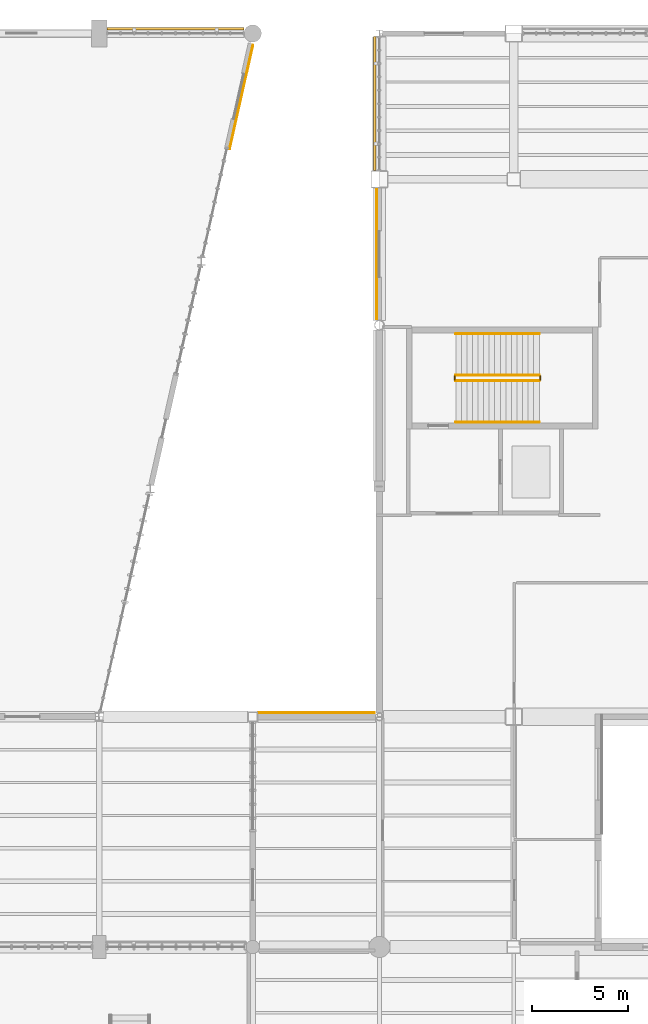
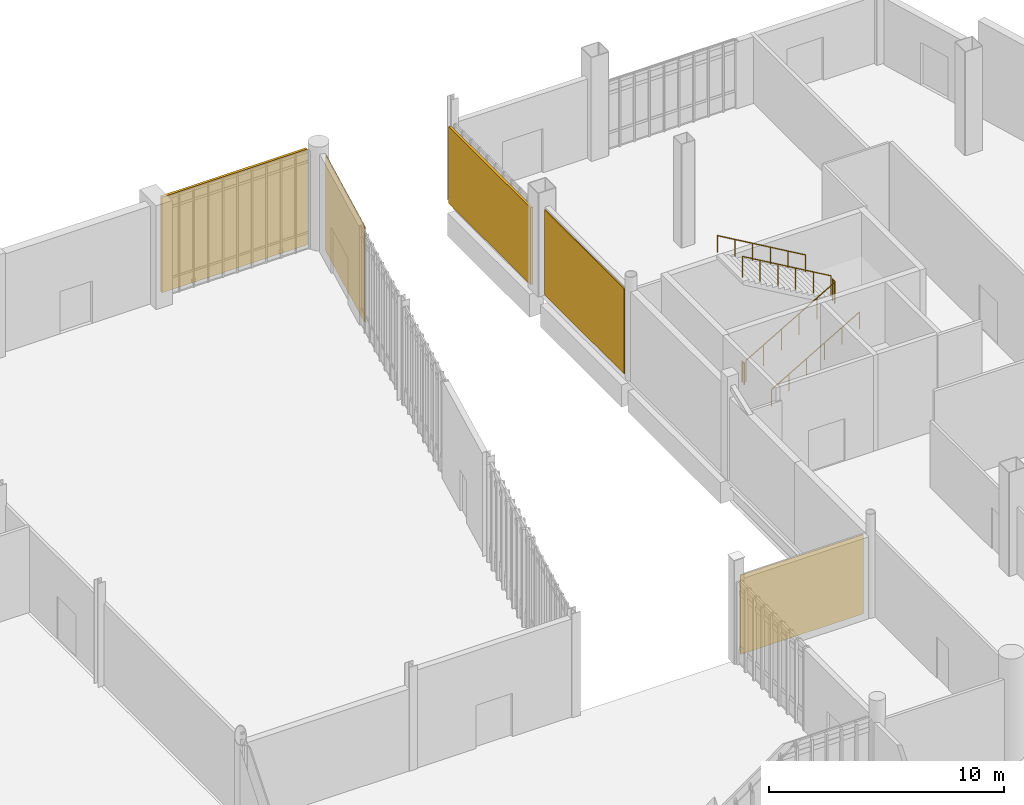
# One storey, part 107 of 111: 6 railings, 3 coverings, 2 shading devices.
"""IFC4 building model written with IfcOpenShell, lengths in metres."""

from ifc_helpers import new_model, si_unit, direction, frame, origin, origin_2d, place, context, subcontext, project, spatial, rectangle, circle, extrude, material, layer, layer_set, type_object, element, save


model = new_model("IFC4")

# Units and contexts
model_context = context("Model", 3, precision=1e-05, world=origin(), true_north=direction((0.0, 1.0)))
body_context = subcontext(model_context, "Body", "Model", "MODEL_VIEW")
ifc_project = project(units=[si_unit("LENGTHUNIT", "METRE"), si_unit("AREAUNIT", "SQUARE_METRE"), si_unit("VOLUMEUNIT", "CUBIC_METRE"), si_unit("PLANEANGLEUNIT", "RADIAN"), si_unit("MASSUNIT", "GRAM", prefix="KILO")], contexts=[model_context])

# Site, building, storey
site_placement = place(None, origin())
site = spatial("IfcSite", under=ifc_project, at=site_placement, CompositionType="ELEMENT")
building_placement = place(site_placement, origin())
building = spatial("IfcBuilding", under=site, at=building_placement, Name="Larkvane Passage Sports Hall", CompositionType="ELEMENT")
storey_placement = place(building_placement, origin())
storey = spatial("IfcBuildingStorey", under=building, at=storey_placement, Name="L00", CompositionType="ELEMENT", Elevation=0.0)

# Coverings
ifc_material_1 = material(Name="Perforated anodised aluminium 5052-H32", Category="aluminium")
ifc_layer_1 = layer(ifc_material_1, 0.050048828125)
ifc_layer_set_1 = layer_set([ifc_layer_1], Name="Perforated anodised aluminium 5052-H32")
covering_type = type_object("IfcCoveringType", Name="COV-MESH-VEIL", PredefinedType="CLADDING", material=ifc_layer_set_1)
covering_1_placement = place(storey_placement, frame((117.403564453125, 95.884033203125, 0.0751953125), z_axis=(0.0, 0.0, 1.0), x_axis=(-0.21925132906, -0.975668414322, 0.0)))
element("IfcCovering", 1, at=covering_1_placement, inside=storey, type_object=covering_type, Name="Perforated cladding cassette L00-024", PredefinedType="CLADDING", context=body_context, shape_type="SweptSolid", body=[
    extrude(rectangle(XDim=5.564697265625, YDim=0.050048828125, at=origin_2d()), origin(), (0.0, 0.0, 1.0), 4.949951171875),
])
covering_2_placement = place(storey_placement, frame((121.323486328125, 63.797607421875, 0.0751953125), z_axis=(0.0, 0.0, 1.0), x_axis=(1.0, 0.0, 0.0)))
element("IfcCovering", 2, at=covering_2_placement, inside=storey, type_object=covering_type, Name="Perforated cladding cassette L00-032", PredefinedType="CLADDING", context=body_context, shape_type="SweptSolid", body=[
    extrude(rectangle(XDim=6.0546875, YDim=0.050048828125, at=origin_2d()), origin(), (0.0, 0.0, 1.0), 4.117919921875),
])
covering_3_placement = place(storey_placement, frame((124.455078125, 87.701904296875, 0.0751953125), z_axis=(0.0, 0.0, 1.0), x_axis=(0.0, 1.0, 0.0)))
element("IfcCovering", 3, at=covering_3_placement, inside=storey, type_object=covering_type, Name="Perforated cladding cassette L00-036", PredefinedType="CLADDING", context=body_context, shape_type="SweptSolid", body=[
    extrude(rectangle(XDim=6.803955078125, YDim=0.050048828125, at=origin_2d()), origin(), (0.0, 0.0, 1.0), 4.427978515625),
])

# Railings
ifc_material_2 = material(Name="Steel S355JR", Category="steel")
railing_type_1 = type_object("IfcRailingType", Name="RL-GUARD-1120", PredefinedType="GUARDRAIL", material=ifc_material_2)
railing_1_placement = place(storey_placement, frame((128.580078125, 81.10009765625, 0.168701171875)))
element("IfcRailing", 4, at=railing_1_placement, inside=storey, type_object=railing_type_1, Name="L00 ST-06 stair guard 1", PredefinedType="GUARDRAIL", context=body_context, shape_type="SweptSolid", body=[
    extrude(circle(Radius=0.02392578125, at=origin_2d()), frame((0.001708984375, 0.0, 1.09716796875), z_axis=(0.864311530196, 0.0, 0.502956835891), x_axis=(0.0, 1.0, 0.0)), (0.0, 0.0, 1.0), 5.02880859375),
    extrude(circle(Radius=0.02099609375, at=origin_2d()), origin(), (0.0, 0.0, 1.0), 1.072021484375),
    extrude(circle(Radius=0.02099609375, at=origin_2d()), frame((0.869873046875, 0.0, 0.50634765625)), (0.0, 0.0, 1.0), 1.072021484375),
    extrude(circle(Radius=0.02099609375, at=origin_2d()), frame((1.739990234375, 0.0, 1.012451171875)), (0.0, 0.0, 1.0), 1.072021484375),
    extrude(circle(Radius=0.02099609375, at=origin_2d()), frame((2.60986328125, 0.0, 1.518798828125)), (0.0, 0.0, 1.0), 1.072021484375),
    extrude(circle(Radius=0.02099609375, at=origin_2d()), frame((3.47998046875, 0.0, 2.02490234375)), (0.0, 0.0, 1.0), 1.072021484375),
    extrude(circle(Radius=0.02099609375, at=origin_2d()), frame((4.349853515625, 0.0, 2.53125)), (0.0, 0.0, 1.0), 1.072021484375),
])
railing_2_placement = place(storey_placement, frame((132.97998046875, 81.14990234375, 2.699951171875)))
element("IfcRailing", 5, at=railing_2_placement, inside=storey, type_object=railing_type_1, Name="L00 ST-06 stair guard 2", PredefinedType="GUARDRAIL", context=body_context, shape_type="SweptSolid", body=[
    extrude(circle(Radius=0.02392578125, at=origin_2d()), frame((0.0, 0.001953125, 1.09619140625), z_axis=(0.0, 1.0, 0.0), x_axis=(-1.0, 0.0, 0.0)), (0.0, 0.0, 1.0), 0.1962890625),
    extrude(circle(Radius=0.02099609375, at=origin_2d()), origin(), (0.0, 0.0, 1.0), 1.072021484375),
    extrude(circle(Radius=0.02099609375, at=origin_2d()), frame((0.0, 0.2001953125, 0.0)), (0.0, 0.0, 1.0), 1.072021484375),
])
railing_3_placement = place(storey_placement, frame((132.929931640625, 81.39990234375, 2.86865234375)))
element("IfcRailing", 6, at=railing_3_placement, inside=storey, type_object=railing_type_1, Name="L00 ST-06 stair guard 3", PredefinedType="GUARDRAIL", context=body_context, shape_type="SweptSolid", body=[
    extrude(circle(Radius=0.02392578125, at=origin_2d()), frame((-0.001708984375, 0.0, 1.09716796875), z_axis=(-0.864311530196, 0.0, 0.502956835891), x_axis=(0.0, -1.0, 0.0)), (0.0, 0.0, 1.0), 5.02880859375),
    extrude(circle(Radius=0.02099609375, at=origin_2d()), origin(), (0.0, 0.0, 1.0), 1.072021484375),
    extrude(circle(Radius=0.02099609375, at=origin_2d()), frame((-0.869873046875, 0.0, 0.50634765625)), (0.0, 0.0, 1.0), 1.072021484375),
    extrude(circle(Radius=0.02099609375, at=origin_2d()), frame((-1.739990234375, 0.0, 1.012451171875)), (0.0, 0.0, 1.0), 1.072021484375),
    extrude(circle(Radius=0.02099609375, at=origin_2d()), frame((-2.60986328125, 0.0, 1.518798828125)), (0.0, 0.0, 1.0), 1.072021484375),
    extrude(circle(Radius=0.02099609375, at=origin_2d()), frame((-3.47998046875, 0.0, 2.02490234375)), (0.0, 0.0, 1.0), 1.072021484375),
    extrude(circle(Radius=0.02099609375, at=origin_2d()), frame((-4.349853515625, 0.0, 2.53125)), (0.0, 0.0, 1.0), 1.072021484375),
])
railing_4_placement = place(storey_placement, frame((128.530029296875, 81.14990234375, 0.0)))
element("IfcRailing", 7, at=railing_4_placement, inside=storey, type_object=railing_type_1, Name="L00 ST-06 stair guard 4", PredefinedType="GUARDRAIL", context=body_context, shape_type="SweptSolid", body=[
    extrude(circle(Radius=0.02392578125, at=origin_2d()), frame((0.0, 0.001953125, 1.09619140625), z_axis=(0.0, 1.0, 0.0), x_axis=(-1.0, 0.0, 0.0)), (0.0, 0.0, 1.0), 0.1962890625),
    extrude(circle(Radius=0.02099609375, at=origin_2d()), origin(), (0.0, 0.0, 1.0), 1.072021484375),
    extrude(circle(Radius=0.02099609375, at=origin_2d()), frame((0.0, 0.2001953125, 0.0)), (0.0, 0.0, 1.0), 1.072021484375),
])
ifc_material_3 = material(Name="Stainless steel S355JR", Category="steel")
railing_type_2 = type_object("IfcRailingType", Name="RL-HAND-920", PredefinedType="HANDRAIL", material=ifc_material_3)
railing_5_placement = place(storey_placement, frame((128.580078125, 78.949951171875, 0.168701171875)))
element("IfcRailing", 8, at=railing_5_placement, inside=storey, type_object=railing_type_2, Name="L00 ST-06 stair handrail 1", PredefinedType="HANDRAIL", context=body_context, shape_type="SweptSolid", body=[
    extrude(circle(Radius=0.02392578125, at=origin_2d()), frame((0.001708984375, 0.0, 0.876953125), z_axis=(0.864311530196, 0.0, 0.502956835891), x_axis=(0.0, 1.0, 0.0)), (0.0, 0.0, 1.0), 5.02880859375),
    extrude(circle(Radius=0.02099609375, at=origin_2d()), origin(), (0.0, 0.0, 1.0), 0.851806640625),
    extrude(circle(Radius=0.02099609375, at=origin_2d()), frame((0.869873046875, 0.0, 0.50634765625)), (0.0, 0.0, 1.0), 0.851806640625),
    extrude(circle(Radius=0.02099609375, at=origin_2d()), frame((1.739990234375, 0.0, 1.012451171875)), (0.0, 0.0, 1.0), 0.851806640625),
    extrude(circle(Radius=0.02099609375, at=origin_2d()), frame((2.60986328125, 0.0, 1.518798828125)), (0.0, 0.0, 1.0), 0.851806640625),
    extrude(circle(Radius=0.02099609375, at=origin_2d()), frame((3.47998046875, 0.0, 2.02490234375)), (0.0, 0.0, 1.0), 0.851806640625),
    extrude(circle(Radius=0.02099609375, at=origin_2d()), frame((4.349853515625, 0.0, 2.53125)), (0.0, 0.0, 1.0), 0.851806640625),
])
railing_6_placement = place(storey_placement, frame((132.929931640625, 83.550048828125, 2.86865234375)))
element("IfcRailing", 9, at=railing_6_placement, inside=storey, type_object=railing_type_2, Name="L00 ST-06 stair handrail 2", PredefinedType="HANDRAIL", context=body_context, shape_type="SweptSolid", body=[
    extrude(circle(Radius=0.02392578125, at=origin_2d()), frame((-0.001708984375, 0.0, 0.876953125), z_axis=(-0.864311530196, 0.0, 0.502956835891), x_axis=(0.0, -1.0, 0.0)), (0.0, 0.0, 1.0), 5.02880859375),
    extrude(circle(Radius=0.02099609375, at=origin_2d()), origin(), (0.0, 0.0, 1.0), 0.851806640625),
    extrude(circle(Radius=0.02099609375, at=origin_2d()), frame((-0.869873046875, 0.0, 0.50634765625)), (0.0, 0.0, 1.0), 0.851806640625),
    extrude(circle(Radius=0.02099609375, at=origin_2d()), frame((-1.739990234375, 0.0, 1.012451171875)), (0.0, 0.0, 1.0), 0.851806640625),
    extrude(circle(Radius=0.02099609375, at=origin_2d()), frame((-2.60986328125, 0.0, 1.518798828125)), (0.0, 0.0, 1.0), 0.851806640625),
    extrude(circle(Radius=0.02099609375, at=origin_2d()), frame((-3.47998046875, 0.0, 2.02490234375)), (0.0, 0.0, 1.0), 0.851806640625),
    extrude(circle(Radius=0.02099609375, at=origin_2d()), frame((-4.349853515625, 0.0, 2.53125)), (0.0, 0.0, 1.0), 0.851806640625),
])

# Shading devices
ifc_material_4 = material(Name="Extruded aluminium 6063-T6", Category="aluminium")
ifc_layer_2 = layer(ifc_material_4, 0.1201171875)
ifc_layer_set_2 = layer_set([ifc_layer_2], Name="Extruded aluminium 6063-T6")
shading_device_type = type_object("IfcShadingDeviceType", Name="SHD-LOUVRE-STORM", PredefinedType="JALOUSIE", material=ifc_layer_set_2)
shading_device_1_placement = place(storey_placement, frame((113.97509765625, 99.43994140625, 0.06005859375), z_axis=(0.0, 0.0, 1.0), x_axis=(1.0, 0.0, 0.0)))
element("IfcShadingDevice", 10, at=shading_device_1_placement, inside=storey, type_object=shading_device_type, Name="Solar veil screen L00-009", PredefinedType="JALOUSIE", context=body_context, shape_type="SweptSolid", body=[
    extrude(rectangle(XDim=7.157958984375, YDim=0.1201171875, at=origin_2d()), origin(), (0.0, 0.0, 1.0), 4.97998046875),
])
shading_device_2_placement = place(storey_placement, frame((124.360107421875, 95.53759765625, 0.06005859375), z_axis=(0.0, 0.0, 1.0), x_axis=(0.0, 1.0, 0.0)))
element("IfcShadingDevice", 11, at=shading_device_2_placement, inside=storey, type_object=shading_device_type, Name="Solar veil screen L00-012", PredefinedType="JALOUSIE", context=body_context, shape_type="SweptSolid", body=[
    extrude(rectangle(XDim=6.98291015625, YDim=0.1201171875, at=origin_2d()), origin(), (0.0, 0.0, 1.0), 3.998046875),
])

save(model, "model.ifc")
